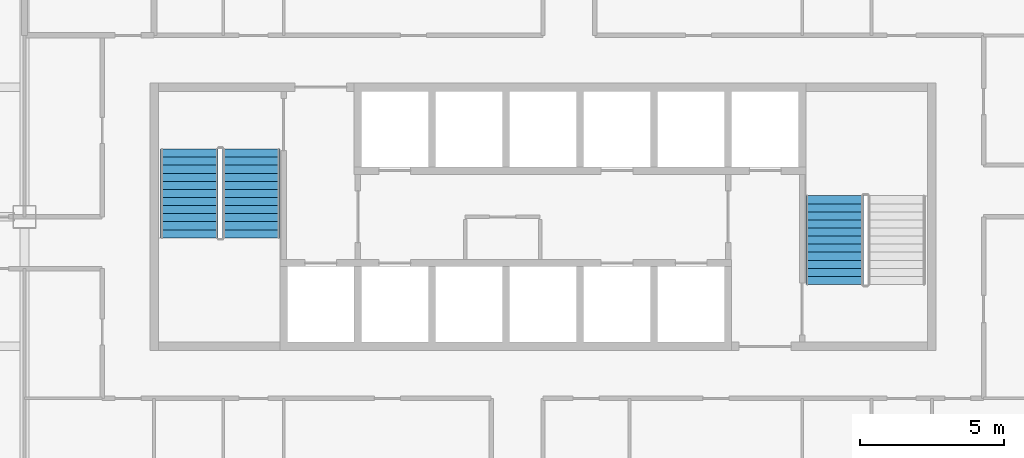
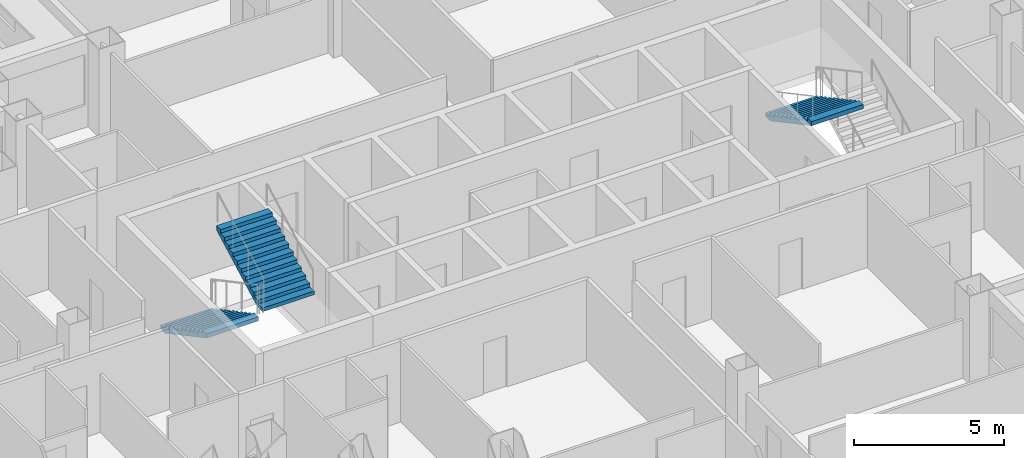
# One storey, part 11 of 15: 3 stair flights, 2 elements without a shape of their own.
"""IFC4 building model written with IfcOpenShell, lengths in metres."""

from ifc_helpers import new_model, si_unit, direction, frame, origin, place, context, subcontext, project, spatial, polygons, material, type_object, element, aggregate, save


model = new_model("IFC4")

# Units and contexts
model_context = context("Model", 3, precision=1e-05, world=origin(), true_north=direction((0.0, 1.0)))
body_context = subcontext(model_context, "Body", "Model", "MODEL_VIEW")
ifc_project = project(units=[si_unit("LENGTHUNIT", "METRE"), si_unit("AREAUNIT", "SQUARE_METRE"), si_unit("VOLUMEUNIT", "CUBIC_METRE"), si_unit("PLANEANGLEUNIT", "RADIAN"), si_unit("MASSUNIT", "GRAM", prefix="KILO")], contexts=[model_context])

# Site, building, storey
site_placement = place(None, origin())
site = spatial("IfcSite", under=ifc_project, at=site_placement, CompositionType="ELEMENT")
building_placement = place(site_placement, origin())
building = spatial("IfcBuilding", under=site, at=building_placement, Name="Caravel Reach Hotel and Residences", CompositionType="ELEMENT")
storey_placement = place(building_placement, frame((0.0, 0.0, 60.0)))
storey = spatial("IfcBuildingStorey", under=building, at=storey_placement, Name="L13", CompositionType="ELEMENT", Elevation=60.0)

# Stair, stair flights
ifc_material_1 = material(Name="Concrete C40", Category="concrete")
stair_type = type_object("IfcStairType", Name="Core stair", PredefinedType="HALF_TURN_STAIR", material=ifc_material_1)
stair_1_placement = place(storey_placement, origin())
stair_1 = element("IfcStair", 1, at=stair_1_placement, inside=storey, type_object=stair_type, Name="L13 Exit stair A", PredefinedType="HALF_TURN_STAIR")
ifc_material_2 = material(Name="Concrete C40", Category="concrete")
stair_flight_type = type_object("IfcStairFlightType", Name="Core stair flight", PredefinedType="STRAIGHT", material=ifc_material_2)
stair_flight_1_placement = place(storey_placement, frame((19.22509765625, 29.35009765625, 0.0), z_axis=(0.0, 0.0, 1.0), x_axis=(0.0, -1.0, 0.0)))
stair_flight_1 = element("IfcStairFlight", 2, at=stair_flight_1_placement, type_object=stair_flight_type, Name="ST-A flight 1", NumberOfRisers=12, NumberOfTreads=11, PredefinedType="STRAIGHT", RiserHeight=0.15, TreadLength=0.28, context=body_context, shape_type="Tessellation", body=[
    polygons([(0.3174408016601862, 1.0, 0.0), (0.3174408016601862, 0.6666666666666667, 0.0), (0.3174408016601862, 0.33333333333333337, 0.0), (0.3174408016601862, 0.0, 0.0), (0.3174408016601862, -0.33333333333333326, 0.0), (0.3174408016601862, -0.6666666666666667, 0.0), (0.3174408016601862, -1.0, 0.0), (3.081, 1.0, 1.479942427682043), (3.081, 0.6666666666666667, 1.479942427682043), (3.081, 0.33333333333333337, 1.479942427682043), (3.081, 0.0, 1.479942427682043), (3.081, -0.33333333333333326, 1.479942427682043), (3.081, -0.6666666666666667, 1.479942427682043), (3.081, -1.0, 1.479942427682043), (3.081, 1.0, 1.65), (3.081, 0.6666666666666667, 1.65), (3.081, 0.33333333333333337, 1.65), (3.081, 0.0, 1.65), (3.081, -0.33333333333333326, 1.65), (3.081, -0.6666666666666667, 1.65), (3.081, -1.0, 1.65), (2.8000000000000003, 1.0, 1.65), (2.8000000000000003, 0.6666666666666667, 1.65), (2.8000000000000003, 0.33333333333333337, 1.65), (2.8000000000000003, 0.0, 1.65), (2.8000000000000003, -0.33333333333333326, 1.65), (2.8000000000000003, -0.6666666666666667, 1.65), (2.8000000000000003, -1.0, 1.65), (2.8000000000000003, 1.0, 1.5), (2.8000000000000003, 0.6666666666666667, 1.5), (2.8000000000000003, 0.33333333333333337, 1.5), (2.8000000000000003, 0.0, 1.5), (2.8000000000000003, -0.33333333333333326, 1.5), (2.8000000000000003, -0.6666666666666667, 1.5), (2.8000000000000003, -1.0, 1.5), (2.5200000000000005, 1.0, 1.5), (2.5200000000000005, 0.6666666666666667, 1.5), (2.5200000000000005, 0.33333333333333337, 1.5), (2.5200000000000005, 0.0, 1.5), (2.5200000000000005, -0.33333333333333326, 1.5), (2.5200000000000005, -0.6666666666666667, 1.5), (2.5200000000000005, -1.0, 1.5), (2.5200000000000005, 1.0, 1.3499999999999999), (2.5200000000000005, 0.6666666666666667, 1.3499999999999999), (2.5200000000000005, 0.33333333333333337, 1.3499999999999999), (2.5200000000000005, 0.0, 1.3499999999999999), (2.5200000000000005, -0.33333333333333326, 1.3499999999999999), (2.5200000000000005, -0.6666666666666667, 1.3499999999999999), (2.5200000000000005, -1.0, 1.3499999999999999), (2.24, 1.0, 1.3499999999999999), (2.24, 0.6666666666666667, 1.3499999999999999), (2.24, 0.33333333333333337, 1.3499999999999999), (2.24, 0.0, 1.3499999999999999), (2.24, -0.33333333333333326, 1.3499999999999999), (2.24, -0.6666666666666667, 1.3499999999999999), (2.24, -1.0, 1.3499999999999999), (2.24, 1.0, 1.2), (2.24, 0.6666666666666667, 1.2), (2.24, 0.33333333333333337, 1.2), (2.24, 0.0, 1.2), (2.24, -0.33333333333333326, 1.2), (2.24, -0.6666666666666667, 1.2), (2.24, -1.0, 1.2), (1.9600000000000002, 1.0, 1.2), (1.9600000000000002, 0.6666666666666667, 1.2), (1.9600000000000002, 0.33333333333333337, 1.2), (1.9600000000000002, 0.0, 1.2), (1.9600000000000002, -0.33333333333333326, 1.2), (1.9600000000000002, -0.6666666666666667, 1.2), (1.9600000000000002, -1.0, 1.2), (1.9600000000000002, 1.0, 1.05), (1.9600000000000002, 0.6666666666666667, 1.05), (1.9600000000000002, 0.33333333333333337, 1.05), (1.9600000000000002, 0.0, 1.05), (1.9600000000000002, -0.33333333333333326, 1.05), (1.9600000000000002, -0.6666666666666667, 1.05), (1.9600000000000002, -1.0, 1.05), (1.6800000000000002, 1.0, 1.05), (1.6800000000000002, 0.6666666666666667, 1.05), (1.6800000000000002, 0.33333333333333337, 1.05), (1.6800000000000002, 0.0, 1.05), (1.6800000000000002, -0.33333333333333326, 1.05), (1.6800000000000002, -0.6666666666666667, 1.05), (1.6800000000000002, -1.0, 1.05), (1.6800000000000002, 1.0, 0.8999999999999999), (1.6800000000000002, 0.6666666666666667, 0.8999999999999999), (1.6800000000000002, 0.33333333333333337, 0.8999999999999999), (1.6800000000000002, 0.0, 0.8999999999999999), (1.6800000000000002, -0.33333333333333326, 0.8999999999999999), (1.6800000000000002, -0.6666666666666667, 0.8999999999999999), (1.6800000000000002, -1.0, 0.8999999999999999), (1.4000000000000001, 1.0, 0.8999999999999999), (1.4000000000000001, 0.6666666666666667, 0.8999999999999999), (1.4000000000000001, 0.33333333333333337, 0.8999999999999999), (1.4000000000000001, 0.0, 0.8999999999999999), (1.4000000000000001, -0.33333333333333326, 0.8999999999999999), (1.4000000000000001, -0.6666666666666667, 0.8999999999999999), (1.4000000000000001, -1.0, 0.8999999999999999), (1.4000000000000001, 1.0, 0.75), (1.4000000000000001, 0.6666666666666667, 0.75), (1.4000000000000001, 0.33333333333333337, 0.75), (1.4000000000000001, 0.0, 0.75), (1.4000000000000001, -0.33333333333333326, 0.75), (1.4000000000000001, -0.6666666666666667, 0.75), (1.4000000000000001, -1.0, 0.75), (1.12, 1.0, 0.75), (1.12, 0.6666666666666667, 0.75), (1.12, 0.33333333333333337, 0.75), (1.12, 0.0, 0.75), (1.12, -0.33333333333333326, 0.75), (1.12, -0.6666666666666667, 0.75), (1.12, -1.0, 0.75), (1.12, 1.0, 0.6), (1.12, 0.6666666666666667, 0.6), (1.12, 0.33333333333333337, 0.6), (1.12, 0.0, 0.6), (1.12, -0.33333333333333326, 0.6), (1.12, -0.6666666666666667, 0.6), (1.12, -1.0, 0.6), (0.8400000000000001, 1.0, 0.6), (0.8400000000000001, 0.6666666666666667, 0.6), (0.8400000000000001, 0.33333333333333337, 0.6), (0.8400000000000001, 0.0, 0.6), (0.8400000000000001, -0.33333333333333326, 0.6), (0.8400000000000001, -0.6666666666666667, 0.6), (0.8400000000000001, -1.0, 0.6), (0.8400000000000001, 1.0, 0.44999999999999996), (0.8400000000000001, 0.6666666666666667, 0.44999999999999996), (0.8400000000000001, 0.33333333333333337, 0.44999999999999996), (0.8400000000000001, 0.0, 0.44999999999999996), (0.8400000000000001, -0.33333333333333326, 0.44999999999999996), (0.8400000000000001, -0.6666666666666667, 0.44999999999999996), (0.8400000000000001, -1.0, 0.44999999999999996), (0.56, 1.0, 0.44999999999999996), (0.56, 0.6666666666666667, 0.44999999999999996), (0.56, 0.33333333333333337, 0.44999999999999996), (0.56, 0.0, 0.44999999999999996), (0.56, -0.33333333333333326, 0.44999999999999996), (0.56, -0.6666666666666667, 0.44999999999999996), (0.56, -1.0, 0.44999999999999996), (0.56, 1.0, 0.3), (0.56, 0.6666666666666667, 0.3), (0.56, 0.33333333333333337, 0.3), (0.56, 0.0, 0.3), (0.56, -0.33333333333333326, 0.3), (0.56, -0.6666666666666667, 0.3), (0.56, -1.0, 0.3), (0.28, 1.0, 0.3), (0.28, 0.6666666666666667, 0.3), (0.28, 0.33333333333333337, 0.3), (0.28, 0.0, 0.3), (0.28, -0.33333333333333326, 0.3), (0.28, -0.6666666666666667, 0.3), (0.28, -1.0, 0.3), (0.28, 1.0, 0.15), (0.28, 0.6666666666666667, 0.15), (0.28, 0.33333333333333337, 0.15), (0.28, 0.0, 0.15), (0.28, -0.33333333333333326, 0.15), (0.28, -0.6666666666666667, 0.15), (0.28, -1.0, 0.15), (-0.001, 1.0, 0.15), (-0.001, 0.6666666666666667, 0.15), (-0.001, 0.33333333333333337, 0.15), (-0.001, 0.0, 0.15), (-0.001, -0.33333333333333326, 0.15), (-0.001, -0.6666666666666667, 0.15), (-0.001, -1.0, 0.15), (-0.001, 1.0, 0.0), (-0.001, 0.6666666666666667, 0.0), (-0.001, 0.33333333333333337, 0.0), (-0.001, 0.0, 0.0), (-0.001, -0.33333333333333326, 0.0), (-0.001, -0.6666666666666667, 0.0), (-0.001, -1.0, 0.0)], [[[169, 162, 155, 148, 141, 134, 127, 120, 113, 106, 99, 92, 85, 78, 71, 64, 57, 50, 43, 36, 29, 22, 15, 8, 1]], [[7, 14, 21, 28, 35, 42, 49, 56, 63, 70, 77, 84, 91, 98, 105, 112, 119, 126, 133, 140, 147, 154, 161, 168, 175]], [[1, 8, 9, 2]], [[2, 9, 10, 3]], [[3, 10, 11, 4]], [[4, 11, 12, 5]], [[5, 12, 13, 6]], [[6, 13, 14, 7]], [[8, 15, 16, 9]], [[9, 16, 17, 10]], [[10, 17, 18, 11]], [[11, 18, 19, 12]], [[12, 19, 20, 13]], [[13, 20, 21, 14]], [[15, 22, 23, 16]], [[16, 23, 24, 17]], [[17, 24, 25, 18]], [[18, 25, 26, 19]], [[19, 26, 27, 20]], [[20, 27, 28, 21]], [[22, 29, 30, 23]], [[23, 30, 31, 24]], [[24, 31, 32, 25]], [[25, 32, 33, 26]], [[26, 33, 34, 27]], [[27, 34, 35, 28]], [[29, 36, 37, 30]], [[30, 37, 38, 31]], [[31, 38, 39, 32]], [[32, 39, 40, 33]], [[33, 40, 41, 34]], [[34, 41, 42, 35]], [[36, 43, 44, 37]], [[37, 44, 45, 38]], [[38, 45, 46, 39]], [[39, 46, 47, 40]], [[40, 47, 48, 41]], [[41, 48, 49, 42]], [[43, 50, 51, 44]], [[44, 51, 52, 45]], [[45, 52, 53, 46]], [[46, 53, 54, 47]], [[47, 54, 55, 48]], [[48, 55, 56, 49]], [[50, 57, 58, 51]], [[51, 58, 59, 52]], [[52, 59, 60, 53]], [[53, 60, 61, 54]], [[54, 61, 62, 55]], [[55, 62, 63, 56]], [[57, 64, 65, 58]], [[58, 65, 66, 59]], [[59, 66, 67, 60]], [[60, 67, 68, 61]], [[61, 68, 69, 62]], [[62, 69, 70, 63]], [[64, 71, 72, 65]], [[65, 72, 73, 66]], [[66, 73, 74, 67]], [[67, 74, 75, 68]], [[68, 75, 76, 69]], [[69, 76, 77, 70]], [[71, 78, 79, 72]], [[72, 79, 80, 73]], [[73, 80, 81, 74]], [[74, 81, 82, 75]], [[75, 82, 83, 76]], [[76, 83, 84, 77]], [[78, 85, 86, 79]], [[79, 86, 87, 80]], [[80, 87, 88, 81]], [[81, 88, 89, 82]], [[82, 89, 90, 83]], [[83, 90, 91, 84]], [[85, 92, 93, 86]], [[86, 93, 94, 87]], [[87, 94, 95, 88]], [[88, 95, 96, 89]], [[89, 96, 97, 90]], [[90, 97, 98, 91]], [[92, 99, 100, 93]], [[93, 100, 101, 94]], [[94, 101, 102, 95]], [[95, 102, 103, 96]], [[96, 103, 104, 97]], [[97, 104, 105, 98]], [[99, 106, 107, 100]], [[100, 107, 108, 101]], [[101, 108, 109, 102]], [[102, 109, 110, 103]], [[103, 110, 111, 104]], [[104, 111, 112, 105]], [[106, 113, 114, 107]], [[107, 114, 115, 108]], [[108, 115, 116, 109]], [[109, 116, 117, 110]], [[110, 117, 118, 111]], [[111, 118, 119, 112]], [[113, 120, 121, 114]], [[114, 121, 122, 115]], [[115, 122, 123, 116]], [[116, 123, 124, 117]], [[117, 124, 125, 118]], [[118, 125, 126, 119]], [[120, 127, 128, 121]], [[121, 128, 129, 122]], [[122, 129, 130, 123]], [[123, 130, 131, 124]], [[124, 131, 132, 125]], [[125, 132, 133, 126]], [[127, 134, 135, 128]], [[128, 135, 136, 129]], [[129, 136, 137, 130]], [[130, 137, 138, 131]], [[131, 138, 139, 132]], [[132, 139, 140, 133]], [[134, 141, 142, 135]], [[135, 142, 143, 136]], [[136, 143, 144, 137]], [[137, 144, 145, 138]], [[138, 145, 146, 139]], [[139, 146, 147, 140]], [[141, 148, 149, 142]], [[142, 149, 150, 143]], [[143, 150, 151, 144]], [[144, 151, 152, 145]], [[145, 152, 153, 146]], [[146, 153, 154, 147]], [[148, 155, 156, 149]], [[149, 156, 157, 150]], [[150, 157, 158, 151]], [[151, 158, 159, 152]], [[152, 159, 160, 153]], [[153, 160, 161, 154]], [[155, 162, 163, 156]], [[156, 163, 164, 157]], [[157, 164, 165, 158]], [[158, 165, 166, 159]], [[159, 166, 167, 160]], [[160, 167, 168, 161]], [[162, 169, 170, 163]], [[163, 170, 171, 164]], [[164, 171, 172, 165]], [[165, 172, 173, 166]], [[166, 173, 174, 167]], [[167, 174, 175, 168]], [[169, 1, 2, 170]], [[170, 2, 3, 171]], [[171, 3, 4, 172]], [[172, 4, 5, 173]], [[173, 5, 6, 174]], [[174, 6, 7, 175]]], closed=True),
])
stair_flight_2_placement = place(storey_placement, frame((21.375, 26.27001953125, 1.800048828125), z_axis=(0.0, 0.0, 1.0), x_axis=(0.0, 1.0, 0.0)))
stair_flight_2 = element("IfcStairFlight", 3, at=stair_flight_2_placement, type_object=stair_flight_type, Name="ST-A flight 2", NumberOfRisers=12, NumberOfTreads=11, PredefinedType="STRAIGHT", RiserHeight=0.15, TreadLength=0.28, context=body_context, shape_type="Tessellation", body=[
    polygons([(0.3174408016601862, 1.0, 0.0), (0.3174408016601862, 0.6666666666666667, 0.0), (0.3174408016601862, 0.33333333333333337, 0.0), (0.3174408016601862, 0.0, 0.0), (0.3174408016601862, -0.33333333333333326, 0.0), (0.3174408016601862, -0.6666666666666667, 0.0), (0.3174408016601862, -1.0, 0.0), (3.081, 1.0, 1.479942427682043), (3.081, 0.6666666666666667, 1.479942427682043), (3.081, 0.33333333333333337, 1.479942427682043), (3.081, 0.0, 1.479942427682043), (3.081, -0.33333333333333326, 1.479942427682043), (3.081, -0.6666666666666667, 1.479942427682043), (3.081, -1.0, 1.479942427682043), (3.081, 1.0, 1.65), (3.081, 0.6666666666666667, 1.65), (3.081, 0.33333333333333337, 1.65), (3.081, 0.0, 1.65), (3.081, -0.33333333333333326, 1.65), (3.081, -0.6666666666666667, 1.65), (3.081, -1.0, 1.65), (2.8000000000000003, 1.0, 1.65), (2.8000000000000003, 0.6666666666666667, 1.65), (2.8000000000000003, 0.33333333333333337, 1.65), (2.8000000000000003, 0.0, 1.65), (2.8000000000000003, -0.33333333333333326, 1.65), (2.8000000000000003, -0.6666666666666667, 1.65), (2.8000000000000003, -1.0, 1.65), (2.8000000000000003, 1.0, 1.5), (2.8000000000000003, 0.6666666666666667, 1.5), (2.8000000000000003, 0.33333333333333337, 1.5), (2.8000000000000003, 0.0, 1.5), (2.8000000000000003, -0.33333333333333326, 1.5), (2.8000000000000003, -0.6666666666666667, 1.5), (2.8000000000000003, -1.0, 1.5), (2.5200000000000005, 1.0, 1.5), (2.5200000000000005, 0.6666666666666667, 1.5), (2.5200000000000005, 0.33333333333333337, 1.5), (2.5200000000000005, 0.0, 1.5), (2.5200000000000005, -0.33333333333333326, 1.5), (2.5200000000000005, -0.6666666666666667, 1.5), (2.5200000000000005, -1.0, 1.5), (2.5200000000000005, 1.0, 1.3499999999999999), (2.5200000000000005, 0.6666666666666667, 1.3499999999999999), (2.5200000000000005, 0.33333333333333337, 1.3499999999999999), (2.5200000000000005, 0.0, 1.3499999999999999), (2.5200000000000005, -0.33333333333333326, 1.3499999999999999), (2.5200000000000005, -0.6666666666666667, 1.3499999999999999), (2.5200000000000005, -1.0, 1.3499999999999999), (2.24, 1.0, 1.3499999999999999), (2.24, 0.6666666666666667, 1.3499999999999999), (2.24, 0.33333333333333337, 1.3499999999999999), (2.24, 0.0, 1.3499999999999999), (2.24, -0.33333333333333326, 1.3499999999999999), (2.24, -0.6666666666666667, 1.3499999999999999), (2.24, -1.0, 1.3499999999999999), (2.24, 1.0, 1.2), (2.24, 0.6666666666666667, 1.2), (2.24, 0.33333333333333337, 1.2), (2.24, 0.0, 1.2), (2.24, -0.33333333333333326, 1.2), (2.24, -0.6666666666666667, 1.2), (2.24, -1.0, 1.2), (1.9600000000000002, 1.0, 1.2), (1.9600000000000002, 0.6666666666666667, 1.2), (1.9600000000000002, 0.33333333333333337, 1.2), (1.9600000000000002, 0.0, 1.2), (1.9600000000000002, -0.33333333333333326, 1.2), (1.9600000000000002, -0.6666666666666667, 1.2), (1.9600000000000002, -1.0, 1.2), (1.9600000000000002, 1.0, 1.05), (1.9600000000000002, 0.6666666666666667, 1.05), (1.9600000000000002, 0.33333333333333337, 1.05), (1.9600000000000002, 0.0, 1.05), (1.9600000000000002, -0.33333333333333326, 1.05), (1.9600000000000002, -0.6666666666666667, 1.05), (1.9600000000000002, -1.0, 1.05), (1.6800000000000002, 1.0, 1.05), (1.6800000000000002, 0.6666666666666667, 1.05), (1.6800000000000002, 0.33333333333333337, 1.05), (1.6800000000000002, 0.0, 1.05), (1.6800000000000002, -0.33333333333333326, 1.05), (1.6800000000000002, -0.6666666666666667, 1.05), (1.6800000000000002, -1.0, 1.05), (1.6800000000000002, 1.0, 0.8999999999999999), (1.6800000000000002, 0.6666666666666667, 0.8999999999999999), (1.6800000000000002, 0.33333333333333337, 0.8999999999999999), (1.6800000000000002, 0.0, 0.8999999999999999), (1.6800000000000002, -0.33333333333333326, 0.8999999999999999), (1.6800000000000002, -0.6666666666666667, 0.8999999999999999), (1.6800000000000002, -1.0, 0.8999999999999999), (1.4000000000000001, 1.0, 0.8999999999999999), (1.4000000000000001, 0.6666666666666667, 0.8999999999999999), (1.4000000000000001, 0.33333333333333337, 0.8999999999999999), (1.4000000000000001, 0.0, 0.8999999999999999), (1.4000000000000001, -0.33333333333333326, 0.8999999999999999), (1.4000000000000001, -0.6666666666666667, 0.8999999999999999), (1.4000000000000001, -1.0, 0.8999999999999999), (1.4000000000000001, 1.0, 0.75), (1.4000000000000001, 0.6666666666666667, 0.75), (1.4000000000000001, 0.33333333333333337, 0.75), (1.4000000000000001, 0.0, 0.75), (1.4000000000000001, -0.33333333333333326, 0.75), (1.4000000000000001, -0.6666666666666667, 0.75), (1.4000000000000001, -1.0, 0.75), (1.12, 1.0, 0.75), (1.12, 0.6666666666666667, 0.75), (1.12, 0.33333333333333337, 0.75), (1.12, 0.0, 0.75), (1.12, -0.33333333333333326, 0.75), (1.12, -0.6666666666666667, 0.75), (1.12, -1.0, 0.75), (1.12, 1.0, 0.6), (1.12, 0.6666666666666667, 0.6), (1.12, 0.33333333333333337, 0.6), (1.12, 0.0, 0.6), (1.12, -0.33333333333333326, 0.6), (1.12, -0.6666666666666667, 0.6), (1.12, -1.0, 0.6), (0.8400000000000001, 1.0, 0.6), (0.8400000000000001, 0.6666666666666667, 0.6), (0.8400000000000001, 0.33333333333333337, 0.6), (0.8400000000000001, 0.0, 0.6), (0.8400000000000001, -0.33333333333333326, 0.6), (0.8400000000000001, -0.6666666666666667, 0.6), (0.8400000000000001, -1.0, 0.6), (0.8400000000000001, 1.0, 0.44999999999999996), (0.8400000000000001, 0.6666666666666667, 0.44999999999999996), (0.8400000000000001, 0.33333333333333337, 0.44999999999999996), (0.8400000000000001, 0.0, 0.44999999999999996), (0.8400000000000001, -0.33333333333333326, 0.44999999999999996), (0.8400000000000001, -0.6666666666666667, 0.44999999999999996), (0.8400000000000001, -1.0, 0.44999999999999996), (0.56, 1.0, 0.44999999999999996), (0.56, 0.6666666666666667, 0.44999999999999996), (0.56, 0.33333333333333337, 0.44999999999999996), (0.56, 0.0, 0.44999999999999996), (0.56, -0.33333333333333326, 0.44999999999999996), (0.56, -0.6666666666666667, 0.44999999999999996), (0.56, -1.0, 0.44999999999999996), (0.56, 1.0, 0.3), (0.56, 0.6666666666666667, 0.3), (0.56, 0.33333333333333337, 0.3), (0.56, 0.0, 0.3), (0.56, -0.33333333333333326, 0.3), (0.56, -0.6666666666666667, 0.3), (0.56, -1.0, 0.3), (0.28, 1.0, 0.3), (0.28, 0.6666666666666667, 0.3), (0.28, 0.33333333333333337, 0.3), (0.28, 0.0, 0.3), (0.28, -0.33333333333333326, 0.3), (0.28, -0.6666666666666667, 0.3), (0.28, -1.0, 0.3), (0.28, 1.0, 0.15), (0.28, 0.6666666666666667, 0.15), (0.28, 0.33333333333333337, 0.15), (0.28, 0.0, 0.15), (0.28, -0.33333333333333326, 0.15), (0.28, -0.6666666666666667, 0.15), (0.28, -1.0, 0.15), (-0.001, 1.0, 0.15), (-0.001, 0.6666666666666667, 0.15), (-0.001, 0.33333333333333337, 0.15), (-0.001, 0.0, 0.15), (-0.001, -0.33333333333333326, 0.15), (-0.001, -0.6666666666666667, 0.15), (-0.001, -1.0, 0.15), (-0.001, 1.0, 0.0), (-0.001, 0.6666666666666667, 0.0), (-0.001, 0.33333333333333337, 0.0), (-0.001, 0.0, 0.0), (-0.001, -0.33333333333333326, 0.0), (-0.001, -0.6666666666666667, 0.0), (-0.001, -1.0, 0.0)], [[[169, 162, 155, 148, 141, 134, 127, 120, 113, 106, 99, 92, 85, 78, 71, 64, 57, 50, 43, 36, 29, 22, 15, 8, 1]], [[7, 14, 21, 28, 35, 42, 49, 56, 63, 70, 77, 84, 91, 98, 105, 112, 119, 126, 133, 140, 147, 154, 161, 168, 175]], [[1, 8, 9, 2]], [[2, 9, 10, 3]], [[3, 10, 11, 4]], [[4, 11, 12, 5]], [[5, 12, 13, 6]], [[6, 13, 14, 7]], [[8, 15, 16, 9]], [[9, 16, 17, 10]], [[10, 17, 18, 11]], [[11, 18, 19, 12]], [[12, 19, 20, 13]], [[13, 20, 21, 14]], [[15, 22, 23, 16]], [[16, 23, 24, 17]], [[17, 24, 25, 18]], [[18, 25, 26, 19]], [[19, 26, 27, 20]], [[20, 27, 28, 21]], [[22, 29, 30, 23]], [[23, 30, 31, 24]], [[24, 31, 32, 25]], [[25, 32, 33, 26]], [[26, 33, 34, 27]], [[27, 34, 35, 28]], [[29, 36, 37, 30]], [[30, 37, 38, 31]], [[31, 38, 39, 32]], [[32, 39, 40, 33]], [[33, 40, 41, 34]], [[34, 41, 42, 35]], [[36, 43, 44, 37]], [[37, 44, 45, 38]], [[38, 45, 46, 39]], [[39, 46, 47, 40]], [[40, 47, 48, 41]], [[41, 48, 49, 42]], [[43, 50, 51, 44]], [[44, 51, 52, 45]], [[45, 52, 53, 46]], [[46, 53, 54, 47]], [[47, 54, 55, 48]], [[48, 55, 56, 49]], [[50, 57, 58, 51]], [[51, 58, 59, 52]], [[52, 59, 60, 53]], [[53, 60, 61, 54]], [[54, 61, 62, 55]], [[55, 62, 63, 56]], [[57, 64, 65, 58]], [[58, 65, 66, 59]], [[59, 66, 67, 60]], [[60, 67, 68, 61]], [[61, 68, 69, 62]], [[62, 69, 70, 63]], [[64, 71, 72, 65]], [[65, 72, 73, 66]], [[66, 73, 74, 67]], [[67, 74, 75, 68]], [[68, 75, 76, 69]], [[69, 76, 77, 70]], [[71, 78, 79, 72]], [[72, 79, 80, 73]], [[73, 80, 81, 74]], [[74, 81, 82, 75]], [[75, 82, 83, 76]], [[76, 83, 84, 77]], [[78, 85, 86, 79]], [[79, 86, 87, 80]], [[80, 87, 88, 81]], [[81, 88, 89, 82]], [[82, 89, 90, 83]], [[83, 90, 91, 84]], [[85, 92, 93, 86]], [[86, 93, 94, 87]], [[87, 94, 95, 88]], [[88, 95, 96, 89]], [[89, 96, 97, 90]], [[90, 97, 98, 91]], [[92, 99, 100, 93]], [[93, 100, 101, 94]], [[94, 101, 102, 95]], [[95, 102, 103, 96]], [[96, 103, 104, 97]], [[97, 104, 105, 98]], [[99, 106, 107, 100]], [[100, 107, 108, 101]], [[101, 108, 109, 102]], [[102, 109, 110, 103]], [[103, 110, 111, 104]], [[104, 111, 112, 105]], [[106, 113, 114, 107]], [[107, 114, 115, 108]], [[108, 115, 116, 109]], [[109, 116, 117, 110]], [[110, 117, 118, 111]], [[111, 118, 119, 112]], [[113, 120, 121, 114]], [[114, 121, 122, 115]], [[115, 122, 123, 116]], [[116, 123, 124, 117]], [[117, 124, 125, 118]], [[118, 125, 126, 119]], [[120, 127, 128, 121]], [[121, 128, 129, 122]], [[122, 129, 130, 123]], [[123, 130, 131, 124]], [[124, 131, 132, 125]], [[125, 132, 133, 126]], [[127, 134, 135, 128]], [[128, 135, 136, 129]], [[129, 136, 137, 130]], [[130, 137, 138, 131]], [[131, 138, 139, 132]], [[132, 139, 140, 133]], [[134, 141, 142, 135]], [[135, 142, 143, 136]], [[136, 143, 144, 137]], [[137, 144, 145, 138]], [[138, 145, 146, 139]], [[139, 146, 147, 140]], [[141, 148, 149, 142]], [[142, 149, 150, 143]], [[143, 150, 151, 144]], [[144, 151, 152, 145]], [[145, 152, 153, 146]], [[146, 153, 154, 147]], [[148, 155, 156, 149]], [[149, 156, 157, 150]], [[150, 157, 158, 151]], [[151, 158, 159, 152]], [[152, 159, 160, 153]], [[153, 160, 161, 154]], [[155, 162, 163, 156]], [[156, 163, 164, 157]], [[157, 164, 165, 158]], [[158, 165, 166, 159]], [[159, 166, 167, 160]], [[160, 167, 168, 161]], [[162, 169, 170, 163]], [[163, 170, 171, 164]], [[164, 171, 172, 165]], [[165, 172, 173, 166]], [[166, 173, 174, 167]], [[167, 174, 175, 168]], [[169, 1, 2, 170]], [[170, 2, 3, 171]], [[171, 3, 4, 172]], [[172, 4, 5, 173]], [[173, 5, 6, 174]], [[174, 6, 7, 175]]], closed=True),
])
aggregate(stair_1, [stair_flight_1, stair_flight_2])

# Stair, stair flight
stair_2_placement = place(storey_placement, origin())
stair_2 = element("IfcStair", 4, at=stair_2_placement, inside=storey, type_object=stair_type, Name="L13 Exit stair B", PredefinedType="HALF_TURN_STAIR")
stair_flight_3_placement = place(storey_placement, frame((41.625, 27.72998046875, 1.800048828125), z_axis=(0.0, 0.0, 1.0), x_axis=(0.0, -1.0, 0.0)))
stair_flight_3 = element("IfcStairFlight", 5, at=stair_flight_3_placement, type_object=stair_flight_type, Name="ST-B flight 2", NumberOfRisers=12, NumberOfTreads=11, PredefinedType="STRAIGHT", RiserHeight=0.15, TreadLength=0.28, context=body_context, shape_type="Tessellation", body=[
    polygons([(0.3174408016601862, 1.0, 0.0), (0.3174408016601862, 0.6666666666666667, 0.0), (0.3174408016601862, 0.33333333333333337, 0.0), (0.3174408016601862, 0.0, 0.0), (0.3174408016601862, -0.33333333333333326, 0.0), (0.3174408016601862, -0.6666666666666667, 0.0), (0.3174408016601862, -1.0, 0.0), (3.081, 1.0, 1.479942427682043), (3.081, 0.6666666666666667, 1.479942427682043), (3.081, 0.33333333333333337, 1.479942427682043), (3.081, 0.0, 1.479942427682043), (3.081, -0.33333333333333326, 1.479942427682043), (3.081, -0.6666666666666667, 1.479942427682043), (3.081, -1.0, 1.479942427682043), (3.081, 1.0, 1.65), (3.081, 0.6666666666666667, 1.65), (3.081, 0.33333333333333337, 1.65), (3.081, 0.0, 1.65), (3.081, -0.33333333333333326, 1.65), (3.081, -0.6666666666666667, 1.65), (3.081, -1.0, 1.65), (2.8000000000000003, 1.0, 1.65), (2.8000000000000003, 0.6666666666666667, 1.65), (2.8000000000000003, 0.33333333333333337, 1.65), (2.8000000000000003, 0.0, 1.65), (2.8000000000000003, -0.33333333333333326, 1.65), (2.8000000000000003, -0.6666666666666667, 1.65), (2.8000000000000003, -1.0, 1.65), (2.8000000000000003, 1.0, 1.5), (2.8000000000000003, 0.6666666666666667, 1.5), (2.8000000000000003, 0.33333333333333337, 1.5), (2.8000000000000003, 0.0, 1.5), (2.8000000000000003, -0.33333333333333326, 1.5), (2.8000000000000003, -0.6666666666666667, 1.5), (2.8000000000000003, -1.0, 1.5), (2.5200000000000005, 1.0, 1.5), (2.5200000000000005, 0.6666666666666667, 1.5), (2.5200000000000005, 0.33333333333333337, 1.5), (2.5200000000000005, 0.0, 1.5), (2.5200000000000005, -0.33333333333333326, 1.5), (2.5200000000000005, -0.6666666666666667, 1.5), (2.5200000000000005, -1.0, 1.5), (2.5200000000000005, 1.0, 1.3499999999999999), (2.5200000000000005, 0.6666666666666667, 1.3499999999999999), (2.5200000000000005, 0.33333333333333337, 1.3499999999999999), (2.5200000000000005, 0.0, 1.3499999999999999), (2.5200000000000005, -0.33333333333333326, 1.3499999999999999), (2.5200000000000005, -0.6666666666666667, 1.3499999999999999), (2.5200000000000005, -1.0, 1.3499999999999999), (2.24, 1.0, 1.3499999999999999), (2.24, 0.6666666666666667, 1.3499999999999999), (2.24, 0.33333333333333337, 1.3499999999999999), (2.24, 0.0, 1.3499999999999999), (2.24, -0.33333333333333326, 1.3499999999999999), (2.24, -0.6666666666666667, 1.3499999999999999), (2.24, -1.0, 1.3499999999999999), (2.24, 1.0, 1.2), (2.24, 0.6666666666666667, 1.2), (2.24, 0.33333333333333337, 1.2), (2.24, 0.0, 1.2), (2.24, -0.33333333333333326, 1.2), (2.24, -0.6666666666666667, 1.2), (2.24, -1.0, 1.2), (1.9600000000000002, 1.0, 1.2), (1.9600000000000002, 0.6666666666666667, 1.2), (1.9600000000000002, 0.33333333333333337, 1.2), (1.9600000000000002, 0.0, 1.2), (1.9600000000000002, -0.33333333333333326, 1.2), (1.9600000000000002, -0.6666666666666667, 1.2), (1.9600000000000002, -1.0, 1.2), (1.9600000000000002, 1.0, 1.05), (1.9600000000000002, 0.6666666666666667, 1.05), (1.9600000000000002, 0.33333333333333337, 1.05), (1.9600000000000002, 0.0, 1.05), (1.9600000000000002, -0.33333333333333326, 1.05), (1.9600000000000002, -0.6666666666666667, 1.05), (1.9600000000000002, -1.0, 1.05), (1.6800000000000002, 1.0, 1.05), (1.6800000000000002, 0.6666666666666667, 1.05), (1.6800000000000002, 0.33333333333333337, 1.05), (1.6800000000000002, 0.0, 1.05), (1.6800000000000002, -0.33333333333333326, 1.05), (1.6800000000000002, -0.6666666666666667, 1.05), (1.6800000000000002, -1.0, 1.05), (1.6800000000000002, 1.0, 0.8999999999999999), (1.6800000000000002, 0.6666666666666667, 0.8999999999999999), (1.6800000000000002, 0.33333333333333337, 0.8999999999999999), (1.6800000000000002, 0.0, 0.8999999999999999), (1.6800000000000002, -0.33333333333333326, 0.8999999999999999), (1.6800000000000002, -0.6666666666666667, 0.8999999999999999), (1.6800000000000002, -1.0, 0.8999999999999999), (1.4000000000000001, 1.0, 0.8999999999999999), (1.4000000000000001, 0.6666666666666667, 0.8999999999999999), (1.4000000000000001, 0.33333333333333337, 0.8999999999999999), (1.4000000000000001, 0.0, 0.8999999999999999), (1.4000000000000001, -0.33333333333333326, 0.8999999999999999), (1.4000000000000001, -0.6666666666666667, 0.8999999999999999), (1.4000000000000001, -1.0, 0.8999999999999999), (1.4000000000000001, 1.0, 0.75), (1.4000000000000001, 0.6666666666666667, 0.75), (1.4000000000000001, 0.33333333333333337, 0.75), (1.4000000000000001, 0.0, 0.75), (1.4000000000000001, -0.33333333333333326, 0.75), (1.4000000000000001, -0.6666666666666667, 0.75), (1.4000000000000001, -1.0, 0.75), (1.12, 1.0, 0.75), (1.12, 0.6666666666666667, 0.75), (1.12, 0.33333333333333337, 0.75), (1.12, 0.0, 0.75), (1.12, -0.33333333333333326, 0.75), (1.12, -0.6666666666666667, 0.75), (1.12, -1.0, 0.75), (1.12, 1.0, 0.6), (1.12, 0.6666666666666667, 0.6), (1.12, 0.33333333333333337, 0.6), (1.12, 0.0, 0.6), (1.12, -0.33333333333333326, 0.6), (1.12, -0.6666666666666667, 0.6), (1.12, -1.0, 0.6), (0.8400000000000001, 1.0, 0.6), (0.8400000000000001, 0.6666666666666667, 0.6), (0.8400000000000001, 0.33333333333333337, 0.6), (0.8400000000000001, 0.0, 0.6), (0.8400000000000001, -0.33333333333333326, 0.6), (0.8400000000000001, -0.6666666666666667, 0.6), (0.8400000000000001, -1.0, 0.6), (0.8400000000000001, 1.0, 0.44999999999999996), (0.8400000000000001, 0.6666666666666667, 0.44999999999999996), (0.8400000000000001, 0.33333333333333337, 0.44999999999999996), (0.8400000000000001, 0.0, 0.44999999999999996), (0.8400000000000001, -0.33333333333333326, 0.44999999999999996), (0.8400000000000001, -0.6666666666666667, 0.44999999999999996), (0.8400000000000001, -1.0, 0.44999999999999996), (0.56, 1.0, 0.44999999999999996), (0.56, 0.6666666666666667, 0.44999999999999996), (0.56, 0.33333333333333337, 0.44999999999999996), (0.56, 0.0, 0.44999999999999996), (0.56, -0.33333333333333326, 0.44999999999999996), (0.56, -0.6666666666666667, 0.44999999999999996), (0.56, -1.0, 0.44999999999999996), (0.56, 1.0, 0.3), (0.56, 0.6666666666666667, 0.3), (0.56, 0.33333333333333337, 0.3), (0.56, 0.0, 0.3), (0.56, -0.33333333333333326, 0.3), (0.56, -0.6666666666666667, 0.3), (0.56, -1.0, 0.3), (0.28, 1.0, 0.3), (0.28, 0.6666666666666667, 0.3), (0.28, 0.33333333333333337, 0.3), (0.28, 0.0, 0.3), (0.28, -0.33333333333333326, 0.3), (0.28, -0.6666666666666667, 0.3), (0.28, -1.0, 0.3), (0.28, 1.0, 0.15), (0.28, 0.6666666666666667, 0.15), (0.28, 0.33333333333333337, 0.15), (0.28, 0.0, 0.15), (0.28, -0.33333333333333326, 0.15), (0.28, -0.6666666666666667, 0.15), (0.28, -1.0, 0.15), (-0.001, 1.0, 0.15), (-0.001, 0.6666666666666667, 0.15), (-0.001, 0.33333333333333337, 0.15), (-0.001, 0.0, 0.15), (-0.001, -0.33333333333333326, 0.15), (-0.001, -0.6666666666666667, 0.15), (-0.001, -1.0, 0.15), (-0.001, 1.0, 0.0), (-0.001, 0.6666666666666667, 0.0), (-0.001, 0.33333333333333337, 0.0), (-0.001, 0.0, 0.0), (-0.001, -0.33333333333333326, 0.0), (-0.001, -0.6666666666666667, 0.0), (-0.001, -1.0, 0.0)], [[[169, 162, 155, 148, 141, 134, 127, 120, 113, 106, 99, 92, 85, 78, 71, 64, 57, 50, 43, 36, 29, 22, 15, 8, 1]], [[7, 14, 21, 28, 35, 42, 49, 56, 63, 70, 77, 84, 91, 98, 105, 112, 119, 126, 133, 140, 147, 154, 161, 168, 175]], [[1, 8, 9, 2]], [[2, 9, 10, 3]], [[3, 10, 11, 4]], [[4, 11, 12, 5]], [[5, 12, 13, 6]], [[6, 13, 14, 7]], [[8, 15, 16, 9]], [[9, 16, 17, 10]], [[10, 17, 18, 11]], [[11, 18, 19, 12]], [[12, 19, 20, 13]], [[13, 20, 21, 14]], [[15, 22, 23, 16]], [[16, 23, 24, 17]], [[17, 24, 25, 18]], [[18, 25, 26, 19]], [[19, 26, 27, 20]], [[20, 27, 28, 21]], [[22, 29, 30, 23]], [[23, 30, 31, 24]], [[24, 31, 32, 25]], [[25, 32, 33, 26]], [[26, 33, 34, 27]], [[27, 34, 35, 28]], [[29, 36, 37, 30]], [[30, 37, 38, 31]], [[31, 38, 39, 32]], [[32, 39, 40, 33]], [[33, 40, 41, 34]], [[34, 41, 42, 35]], [[36, 43, 44, 37]], [[37, 44, 45, 38]], [[38, 45, 46, 39]], [[39, 46, 47, 40]], [[40, 47, 48, 41]], [[41, 48, 49, 42]], [[43, 50, 51, 44]], [[44, 51, 52, 45]], [[45, 52, 53, 46]], [[46, 53, 54, 47]], [[47, 54, 55, 48]], [[48, 55, 56, 49]], [[50, 57, 58, 51]], [[51, 58, 59, 52]], [[52, 59, 60, 53]], [[53, 60, 61, 54]], [[54, 61, 62, 55]], [[55, 62, 63, 56]], [[57, 64, 65, 58]], [[58, 65, 66, 59]], [[59, 66, 67, 60]], [[60, 67, 68, 61]], [[61, 68, 69, 62]], [[62, 69, 70, 63]], [[64, 71, 72, 65]], [[65, 72, 73, 66]], [[66, 73, 74, 67]], [[67, 74, 75, 68]], [[68, 75, 76, 69]], [[69, 76, 77, 70]], [[71, 78, 79, 72]], [[72, 79, 80, 73]], [[73, 80, 81, 74]], [[74, 81, 82, 75]], [[75, 82, 83, 76]], [[76, 83, 84, 77]], [[78, 85, 86, 79]], [[79, 86, 87, 80]], [[80, 87, 88, 81]], [[81, 88, 89, 82]], [[82, 89, 90, 83]], [[83, 90, 91, 84]], [[85, 92, 93, 86]], [[86, 93, 94, 87]], [[87, 94, 95, 88]], [[88, 95, 96, 89]], [[89, 96, 97, 90]], [[90, 97, 98, 91]], [[92, 99, 100, 93]], [[93, 100, 101, 94]], [[94, 101, 102, 95]], [[95, 102, 103, 96]], [[96, 103, 104, 97]], [[97, 104, 105, 98]], [[99, 106, 107, 100]], [[100, 107, 108, 101]], [[101, 108, 109, 102]], [[102, 109, 110, 103]], [[103, 110, 111, 104]], [[104, 111, 112, 105]], [[106, 113, 114, 107]], [[107, 114, 115, 108]], [[108, 115, 116, 109]], [[109, 116, 117, 110]], [[110, 117, 118, 111]], [[111, 118, 119, 112]], [[113, 120, 121, 114]], [[114, 121, 122, 115]], [[115, 122, 123, 116]], [[116, 123, 124, 117]], [[117, 124, 125, 118]], [[118, 125, 126, 119]], [[120, 127, 128, 121]], [[121, 128, 129, 122]], [[122, 129, 130, 123]], [[123, 130, 131, 124]], [[124, 131, 132, 125]], [[125, 132, 133, 126]], [[127, 134, 135, 128]], [[128, 135, 136, 129]], [[129, 136, 137, 130]], [[130, 137, 138, 131]], [[131, 138, 139, 132]], [[132, 139, 140, 133]], [[134, 141, 142, 135]], [[135, 142, 143, 136]], [[136, 143, 144, 137]], [[137, 144, 145, 138]], [[138, 145, 146, 139]], [[139, 146, 147, 140]], [[141, 148, 149, 142]], [[142, 149, 150, 143]], [[143, 150, 151, 144]], [[144, 151, 152, 145]], [[145, 152, 153, 146]], [[146, 153, 154, 147]], [[148, 155, 156, 149]], [[149, 156, 157, 150]], [[150, 157, 158, 151]], [[151, 158, 159, 152]], [[152, 159, 160, 153]], [[153, 160, 161, 154]], [[155, 162, 163, 156]], [[156, 163, 164, 157]], [[157, 164, 165, 158]], [[158, 165, 166, 159]], [[159, 166, 167, 160]], [[160, 167, 168, 161]], [[162, 169, 170, 163]], [[163, 170, 171, 164]], [[164, 171, 172, 165]], [[165, 172, 173, 166]], [[166, 173, 174, 167]], [[167, 174, 175, 168]], [[169, 1, 2, 170]], [[170, 2, 3, 171]], [[171, 3, 4, 172]], [[172, 4, 5, 173]], [[173, 5, 6, 174]], [[174, 6, 7, 175]]], closed=True),
])
aggregate(stair_2, [stair_flight_3])

save(model, "model.ifc")
